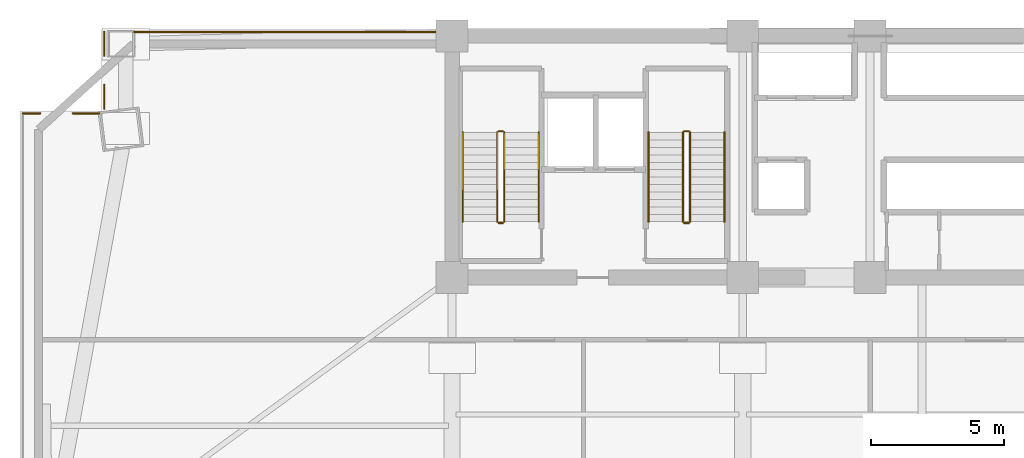
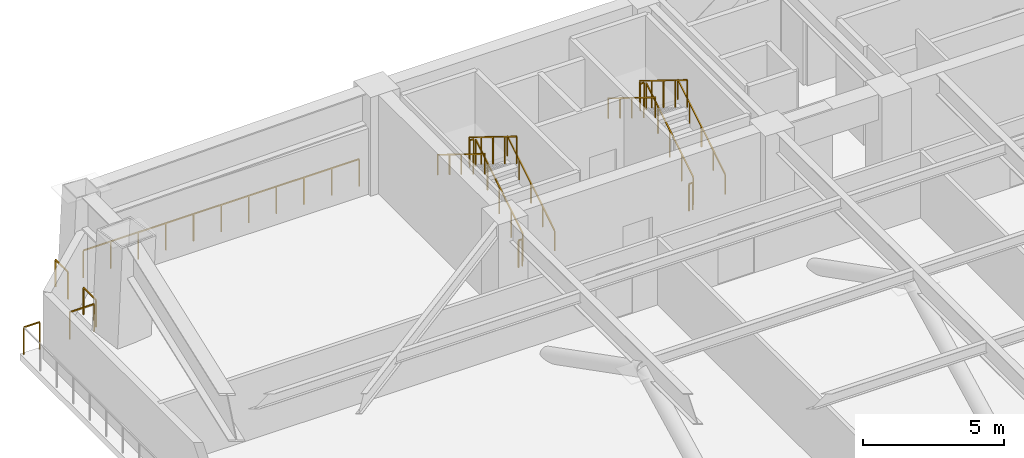
# One storey, part 9 of 10: 17 railings.
"""IFC4 building model written with IfcOpenShell, lengths in metres."""

from ifc_helpers import new_model, si_unit, direction, frame, origin, origin_2d, place, context, subcontext, project, spatial, rectangle, extrude, material, type_object, element, save


model = new_model("IFC4")

# Units and contexts
model_context = context("Model", 3, precision=1e-05, world=origin(), true_north=direction((0.0, 1.0)))
body_context = subcontext(model_context, "Body", "Model", "MODEL_VIEW")
ifc_project = project(units=[si_unit("LENGTHUNIT", "METRE"), si_unit("AREAUNIT", "SQUARE_METRE"), si_unit("VOLUMEUNIT", "CUBIC_METRE"), si_unit("PLANEANGLEUNIT", "RADIAN"), si_unit("MASSUNIT", "GRAM", prefix="KILO")], contexts=[model_context])

# Site, building, storey
site_placement = place(None, origin())
site = spatial("IfcSite", under=ifc_project, at=site_placement, CompositionType="ELEMENT")
building_placement = place(site_placement, origin())
building = spatial("IfcBuilding", under=site, at=building_placement, Name="Giltprow Tower", CompositionType="ELEMENT")
storey_placement = place(building_placement, frame((0.0, 0.0, 95.199951171875)))
storey = spatial("IfcBuildingStorey", under=building, at=storey_placement, Name="L23", CompositionType="ELEMENT", Elevation=95.199951171875)

# Railings
ifc_material = material(Name="Anodized bronze", Category="metal")
railing_type_1 = type_object("IfcRailingType", Name="RAIL-BALC-GUARD-1200", PredefinedType="BALUSTRADE", material=ifc_material)
railing_1_placement = place(storey_placement, frame((3.675048828125, 43.6298828125, 0.0)))
element("IfcRailing", 1, at=railing_1_placement, inside=storey, type_object=railing_type_1, Name="L23 Corner Apron Edge Balustrade 4", PredefinedType="BALUSTRADE", context=body_context, shape_type="SweptSolid", body=[
    extrude(rectangle(XDim=0.048095703125, YDim=0.048095703125, at=origin_2d()), frame((0.0, 0.0, 1.17578125), z_axis=(1.0, 0.0, 0.0), x_axis=(0.0, 1.0, 0.0)), (0.0, 0.0, 1.0), 0.65283203125),
    extrude(rectangle(XDim=0.0419921875, YDim=0.0419921875, at=origin_2d()), origin(), (0.0, 0.0, 1.0), 1.15185546875),
    extrude(rectangle(XDim=0.0419921875, YDim=0.0419921875, at=origin_2d()), frame((0.65283203125, 0.0, 0.0)), (0.0, 0.0, 1.0), 1.15185546875),
])
railing_2_placement = place(storey_placement, frame((5.552001953125, 43.6298828125, 0.0)))
element("IfcRailing", 2, at=railing_2_placement, inside=storey, type_object=railing_type_1, Name="L23 Corner Apron Edge Balustrade 5", PredefinedType="BALUSTRADE", context=body_context, shape_type="SweptSolid", body=[
    extrude(rectangle(XDim=0.048095703125, YDim=0.048095703125, at=origin_2d()), frame((0.0, 0.0, 1.17578125), z_axis=(1.0, 0.0, 0.0), x_axis=(0.0, 1.0, 0.0)), (0.0, 0.0, 1.0), 1.008056640625),
    extrude(rectangle(XDim=0.0419921875, YDim=0.0419921875, at=origin_2d()), origin(), (0.0, 0.0, 1.0), 1.15185546875),
    extrude(rectangle(XDim=0.0419921875, YDim=0.0419921875, at=origin_2d()), frame((1.008056640625, 0.0, 0.0)), (0.0, 0.0, 1.0), 1.15185546875),
])
railing_3_placement = place(storey_placement, frame((6.7451171875, 43.81494140625, 0.0)))
element("IfcRailing", 3, at=railing_3_placement, inside=storey, type_object=railing_type_1, Name="L23 Corner Apron Edge Balustrade 6", PredefinedType="BALUSTRADE", context=body_context, shape_type="SweptSolid", body=[
    extrude(rectangle(XDim=0.048095703125, YDim=0.048095703125, at=origin_2d()), frame((0.0, 0.0, 1.17578125), z_axis=(0.0, 1.0, 0.0), x_axis=(-1.0, 0.0, 0.0)), (0.0, 0.0, 1.0), 0.89111328125),
    extrude(rectangle(XDim=0.0419921875, YDim=0.0419921875, at=origin_2d()), origin(), (0.0, 0.0, 1.0), 1.15185546875),
    extrude(rectangle(XDim=0.0419921875, YDim=0.0419921875, at=origin_2d()), frame((0.0, 0.89111328125, 0.0)), (0.0, 0.0, 1.0), 1.15185546875),
])
railing_4_placement = place(storey_placement, frame((6.7451171875, 45.81005859375, 0.0)))
element("IfcRailing", 4, at=railing_4_placement, inside=storey, type_object=railing_type_1, Name="L23 Corner Apron Edge Balustrade 7", PredefinedType="BALUSTRADE", context=body_context, shape_type="SweptSolid", body=[
    extrude(rectangle(XDim=0.048095703125, YDim=0.048095703125, at=origin_2d()), frame((0.0, 0.0, 1.17578125), z_axis=(0.0, 1.0, 0.0), x_axis=(-1.0, 0.0, 0.0)), (0.0, 0.0, 1.0), 0.889892578125),
    extrude(rectangle(XDim=0.0419921875, YDim=0.0419921875, at=origin_2d()), origin(), (0.0, 0.0, 1.0), 1.15185546875),
    extrude(rectangle(XDim=0.0419921875, YDim=0.0419921875, at=origin_2d()), frame((0.0, 0.889892578125, 0.0)), (0.0, 0.0, 1.0), 1.15185546875),
])
railing_5_placement = place(storey_placement, frame((7.8798828125, 46.699951171875, 0.0)))
element("IfcRailing", 5, at=railing_5_placement, inside=storey, type_object=railing_type_1, Name="L23 Corner Apron Edge Balustrade 8", PredefinedType="BALUSTRADE", context=body_context, shape_type="SweptSolid", body=[
    extrude(rectangle(XDim=0.048095703125, YDim=0.048095703125, at=origin_2d()), frame((0.0, 0.0, 1.17578125), z_axis=(1.0, 0.0, 0.0), x_axis=(0.0, 1.0, 0.0)), (0.0, 0.0, 1.0), 11.335205078125),
    extrude(rectangle(XDim=0.0419921875, YDim=0.0419921875, at=origin_2d()), origin(), (0.0, 0.0, 1.0), 1.15185546875),
    extrude(rectangle(XDim=0.0419921875, YDim=0.0419921875, at=origin_2d()), frame((1.133544921875, 0.0, 0.0)), (0.0, 0.0, 1.0), 1.15185546875),
    extrude(rectangle(XDim=0.0419921875, YDim=0.0419921875, at=origin_2d()), frame((2.26708984375, 0.0, 0.0)), (0.0, 0.0, 1.0), 1.15185546875),
    extrude(rectangle(XDim=0.0419921875, YDim=0.0419921875, at=origin_2d()), frame((3.400634765625, 0.0, 0.0)), (0.0, 0.0, 1.0), 1.15185546875),
    extrude(rectangle(XDim=0.0419921875, YDim=0.0419921875, at=origin_2d()), frame((4.5341796875, 0.0, 0.0)), (0.0, 0.0, 1.0), 1.15185546875),
    extrude(rectangle(XDim=0.0419921875, YDim=0.0419921875, at=origin_2d()), frame((5.66748046875, 0.0, 0.0)), (0.0, 0.0, 1.0), 1.15185546875),
    extrude(rectangle(XDim=0.0419921875, YDim=0.0419921875, at=origin_2d()), frame((6.801025390625, 0.0, 0.0)), (0.0, 0.0, 1.0), 1.15185546875),
    extrude(rectangle(XDim=0.0419921875, YDim=0.0419921875, at=origin_2d()), frame((7.9345703125, 0.0, 0.0)), (0.0, 0.0, 1.0), 1.15185546875),
    extrude(rectangle(XDim=0.0419921875, YDim=0.0419921875, at=origin_2d()), frame((9.068115234375, 0.0, 0.0)), (0.0, 0.0, 1.0), 1.15185546875),
    extrude(rectangle(XDim=0.0419921875, YDim=0.0419921875, at=origin_2d()), frame((10.20166015625, 0.0, 0.0)), (0.0, 0.0, 1.0), 1.15185546875),
    extrude(rectangle(XDim=0.0419921875, YDim=0.0419921875, at=origin_2d()), frame((11.335205078125, 0.0, 0.0)), (0.0, 0.0, 1.0), 1.15185546875),
])
railing_type_2 = type_object("IfcRailingType", Name="RAIL-STAIR-GUARD-1200", PredefinedType="GUARDRAIL", material=ifc_material)
railing_6_placement = place(storey_placement, frame((21.81005859375, 39.550048828125, 0.173095703125)))
element("IfcRailing", 6, at=railing_6_placement, inside=storey, type_object=railing_type_2, Name="L23 ST-1 stair guard 1", PredefinedType="GUARDRAIL", context=body_context, shape_type="SweptSolid", body=[
    extrude(rectangle(XDim=0.048095703125, YDim=0.048095703125, at=origin_2d()), frame((0.0, 0.0, 1.17578125), z_axis=(0.0, 0.850606129759, 0.525803396734), x_axis=(-1.0, 0.0, 0.0)), (0.0, 0.0, 1.0), 3.949951171875),
    extrude(rectangle(XDim=0.0419921875, YDim=0.0419921875, at=origin_2d()), origin(), (0.0, 0.0, 1.0), 1.15185546875),
    extrude(rectangle(XDim=0.0419921875, YDim=0.0419921875, at=origin_2d()), frame((0.0, 0.83984375, 0.519287109375)), (0.0, 0.0, 1.0), 1.15185546875),
    extrude(rectangle(XDim=0.0419921875, YDim=0.0419921875, at=origin_2d()), frame((0.0, 1.679931640625, 1.03857421875)), (0.0, 0.0, 1.0), 1.15185546875),
    extrude(rectangle(XDim=0.0419921875, YDim=0.0419921875, at=origin_2d()), frame((0.0, 2.52001953125, 1.5576171875)), (0.0, 0.0, 1.0), 1.15185546875),
    extrude(rectangle(XDim=0.0419921875, YDim=0.0419921875, at=origin_2d()), frame((0.0, 3.35986328125, 2.076904296875)), (0.0, 0.0, 1.0), 1.15185546875),
])
railing_7_placement = place(storey_placement, frame((21.760009765625, 42.9599609375, 2.25)))
element("IfcRailing", 7, at=railing_7_placement, inside=storey, type_object=railing_type_2, Name="L23 ST-1 stair guard 2", PredefinedType="GUARDRAIL", context=body_context, shape_type="SweptSolid", body=[
    extrude(rectangle(XDim=0.048095703125, YDim=0.048095703125, at=origin_2d()), frame((0.0, 0.0, 1.17578125), z_axis=(-1.0, 0.0, 0.0), x_axis=(0.0, -1.0, 0.0)), (0.0, 0.0, 1.0), 0.159912109375),
    extrude(rectangle(XDim=0.0419921875, YDim=0.0419921875, at=origin_2d()), origin(), (0.0, 0.0, 1.0), 1.15185546875),
    extrude(rectangle(XDim=0.0419921875, YDim=0.0419921875, at=origin_2d()), frame((-0.159912109375, 0.0, 0.0)), (0.0, 0.0, 1.0), 1.15185546875),
])
railing_8_placement = place(storey_placement, frame((21.550048828125, 42.909912109375, 2.423095703125)))
element("IfcRailing", 8, at=railing_8_placement, inside=storey, type_object=railing_type_2, Name="L23 ST-1 stair guard 3", PredefinedType="GUARDRAIL", context=body_context, shape_type="SweptSolid", body=[
    extrude(rectangle(XDim=0.048095703125, YDim=0.048095703125, at=origin_2d()), frame((0.0, 0.0, 1.17578125), z_axis=(0.0, -0.850606129759, 0.525803396734), x_axis=(1.0, 0.0, 0.0)), (0.0, 0.0, 1.0), 3.949951171875),
    extrude(rectangle(XDim=0.0419921875, YDim=0.0419921875, at=origin_2d()), origin(), (0.0, 0.0, 1.0), 1.15185546875),
    extrude(rectangle(XDim=0.0419921875, YDim=0.0419921875, at=origin_2d()), frame((0.0, -0.83984375, 0.519287109375)), (0.0, 0.0, 1.0), 1.15185546875),
    extrude(rectangle(XDim=0.0419921875, YDim=0.0419921875, at=origin_2d()), frame((0.0, -1.679931640625, 1.03857421875)), (0.0, 0.0, 1.0), 1.15185546875),
    extrude(rectangle(XDim=0.0419921875, YDim=0.0419921875, at=origin_2d()), frame((0.0, -2.52001953125, 1.5576171875)), (0.0, 0.0, 1.0), 1.15185546875),
    extrude(rectangle(XDim=0.0419921875, YDim=0.0419921875, at=origin_2d()), frame((0.0, -3.35986328125, 2.076904296875)), (0.0, 0.0, 1.0), 1.15185546875),
])
railing_9_placement = place(storey_placement, frame((21.760009765625, 39.5, 0.0)))
element("IfcRailing", 9, at=railing_9_placement, inside=storey, type_object=railing_type_2, Name="L23 ST-1 stair guard 4", PredefinedType="GUARDRAIL", context=body_context, shape_type="SweptSolid", body=[
    extrude(rectangle(XDim=0.048095703125, YDim=0.048095703125, at=origin_2d()), frame((0.0, 0.0, 1.17578125), z_axis=(-1.0, 0.0, 0.0), x_axis=(0.0, -1.0, 0.0)), (0.0, 0.0, 1.0), 0.159912109375),
    extrude(rectangle(XDim=0.0419921875, YDim=0.0419921875, at=origin_2d()), origin(), (0.0, 0.0, 1.0), 1.15185546875),
    extrude(rectangle(XDim=0.0419921875, YDim=0.0419921875, at=origin_2d()), frame((-0.159912109375, 0.0, 0.0)), (0.0, 0.0, 1.0), 1.15185546875),
])
railing_10_placement = place(storey_placement, frame((28.81005859375, 39.550048828125, 0.173095703125)))
element("IfcRailing", 10, at=railing_10_placement, inside=storey, type_object=railing_type_2, Name="L23 ST-2 stair guard 1", PredefinedType="GUARDRAIL", context=body_context, shape_type="SweptSolid", body=[
    extrude(rectangle(XDim=0.048095703125, YDim=0.048095703125, at=origin_2d()), frame((0.0, 0.0, 1.17578125), z_axis=(0.0, 0.850606129759, 0.525803396734), x_axis=(-1.0, 0.0, 0.0)), (0.0, 0.0, 1.0), 3.949951171875),
    extrude(rectangle(XDim=0.0419921875, YDim=0.0419921875, at=origin_2d()), origin(), (0.0, 0.0, 1.0), 1.15185546875),
    extrude(rectangle(XDim=0.0419921875, YDim=0.0419921875, at=origin_2d()), frame((0.0, 0.83984375, 0.519287109375)), (0.0, 0.0, 1.0), 1.15185546875),
    extrude(rectangle(XDim=0.0419921875, YDim=0.0419921875, at=origin_2d()), frame((0.0, 1.679931640625, 1.03857421875)), (0.0, 0.0, 1.0), 1.15185546875),
    extrude(rectangle(XDim=0.0419921875, YDim=0.0419921875, at=origin_2d()), frame((0.0, 2.52001953125, 1.5576171875)), (0.0, 0.0, 1.0), 1.15185546875),
    extrude(rectangle(XDim=0.0419921875, YDim=0.0419921875, at=origin_2d()), frame((0.0, 3.35986328125, 2.076904296875)), (0.0, 0.0, 1.0), 1.15185546875),
])
railing_11_placement = place(storey_placement, frame((28.760009765625, 42.9599609375, 2.25)))
element("IfcRailing", 11, at=railing_11_placement, inside=storey, type_object=railing_type_2, Name="L23 ST-2 stair guard 2", PredefinedType="GUARDRAIL", context=body_context, shape_type="SweptSolid", body=[
    extrude(rectangle(XDim=0.048095703125, YDim=0.048095703125, at=origin_2d()), frame((0.0, 0.0, 1.17578125), z_axis=(-1.0, 0.0, 0.0), x_axis=(0.0, -1.0, 0.0)), (0.0, 0.0, 1.0), 0.159912109375),
    extrude(rectangle(XDim=0.0419921875, YDim=0.0419921875, at=origin_2d()), origin(), (0.0, 0.0, 1.0), 1.15185546875),
    extrude(rectangle(XDim=0.0419921875, YDim=0.0419921875, at=origin_2d()), frame((-0.159912109375, 0.0, 0.0)), (0.0, 0.0, 1.0), 1.15185546875),
])
railing_12_placement = place(storey_placement, frame((28.550048828125, 42.909912109375, 2.423095703125)))
element("IfcRailing", 12, at=railing_12_placement, inside=storey, type_object=railing_type_2, Name="L23 ST-2 stair guard 3", PredefinedType="GUARDRAIL", context=body_context, shape_type="SweptSolid", body=[
    extrude(rectangle(XDim=0.048095703125, YDim=0.048095703125, at=origin_2d()), frame((0.0, 0.0, 1.17578125), z_axis=(0.0, -0.850606129759, 0.525803396734), x_axis=(1.0, 0.0, 0.0)), (0.0, 0.0, 1.0), 3.949951171875),
    extrude(rectangle(XDim=0.0419921875, YDim=0.0419921875, at=origin_2d()), origin(), (0.0, 0.0, 1.0), 1.15185546875),
    extrude(rectangle(XDim=0.0419921875, YDim=0.0419921875, at=origin_2d()), frame((0.0, -0.83984375, 0.519287109375)), (0.0, 0.0, 1.0), 1.15185546875),
    extrude(rectangle(XDim=0.0419921875, YDim=0.0419921875, at=origin_2d()), frame((0.0, -1.679931640625, 1.03857421875)), (0.0, 0.0, 1.0), 1.15185546875),
    extrude(rectangle(XDim=0.0419921875, YDim=0.0419921875, at=origin_2d()), frame((0.0, -2.52001953125, 1.5576171875)), (0.0, 0.0, 1.0), 1.15185546875),
    extrude(rectangle(XDim=0.0419921875, YDim=0.0419921875, at=origin_2d()), frame((0.0, -3.35986328125, 2.076904296875)), (0.0, 0.0, 1.0), 1.15185546875),
])
railing_13_placement = place(storey_placement, frame((28.760009765625, 39.5, 0.0)))
element("IfcRailing", 13, at=railing_13_placement, inside=storey, type_object=railing_type_2, Name="L23 ST-2 stair guard 4", PredefinedType="GUARDRAIL", context=body_context, shape_type="SweptSolid", body=[
    extrude(rectangle(XDim=0.048095703125, YDim=0.048095703125, at=origin_2d()), frame((0.0, 0.0, 1.17578125), z_axis=(-1.0, 0.0, 0.0), x_axis=(0.0, -1.0, 0.0)), (0.0, 0.0, 1.0), 0.159912109375),
    extrude(rectangle(XDim=0.0419921875, YDim=0.0419921875, at=origin_2d()), origin(), (0.0, 0.0, 1.0), 1.15185546875),
    extrude(rectangle(XDim=0.0419921875, YDim=0.0419921875, at=origin_2d()), frame((-0.159912109375, 0.0, 0.0)), (0.0, 0.0, 1.0), 1.15185546875),
])
railing_type_3 = type_object("IfcRailingType", Name="RAIL-STAIR-HAND-900", PredefinedType="HANDRAIL", material=ifc_material)
railing_14_placement = place(storey_placement, frame((23.110107421875, 39.550048828125, 0.173095703125)))
element("IfcRailing", 14, at=railing_14_placement, inside=storey, type_object=railing_type_3, Name="L23 ST-1 stair handrail 1", PredefinedType="HANDRAIL", context=body_context, shape_type="SweptSolid", body=[
    extrude(rectangle(XDim=0.048095703125, YDim=0.048095703125, at=origin_2d()), frame((0.0, 0.0, 0.8759765625), z_axis=(0.0, 0.850606129759, 0.525803396734), x_axis=(-1.0, 0.0, 0.0)), (0.0, 0.0, 1.0), 3.949951171875),
    extrude(rectangle(XDim=0.0419921875, YDim=0.0419921875, at=origin_2d()), origin(), (0.0, 0.0, 1.0), 0.851806640625),
    extrude(rectangle(XDim=0.0419921875, YDim=0.0419921875, at=origin_2d()), frame((0.0, 0.83984375, 0.519287109375)), (0.0, 0.0, 1.0), 0.851806640625),
    extrude(rectangle(XDim=0.0419921875, YDim=0.0419921875, at=origin_2d()), frame((0.0, 1.679931640625, 1.03857421875)), (0.0, 0.0, 1.0), 0.851806640625),
    extrude(rectangle(XDim=0.0419921875, YDim=0.0419921875, at=origin_2d()), frame((0.0, 2.52001953125, 1.5576171875)), (0.0, 0.0, 1.0), 0.851806640625),
    extrude(rectangle(XDim=0.0419921875, YDim=0.0419921875, at=origin_2d()), frame((0.0, 3.35986328125, 2.076904296875)), (0.0, 0.0, 1.0), 0.851806640625),
])
railing_15_placement = place(storey_placement, frame((20.25, 42.909912109375, 2.423095703125)))
element("IfcRailing", 15, at=railing_15_placement, inside=storey, type_object=railing_type_3, Name="L23 ST-1 stair handrail 2", PredefinedType="HANDRAIL", context=body_context, shape_type="SweptSolid", body=[
    extrude(rectangle(XDim=0.048095703125, YDim=0.048095703125, at=origin_2d()), frame((0.0, 0.0, 0.8759765625), z_axis=(0.0, -0.850606129759, 0.525803396734), x_axis=(1.0, 0.0, 0.0)), (0.0, 0.0, 1.0), 3.949951171875),
    extrude(rectangle(XDim=0.0419921875, YDim=0.0419921875, at=origin_2d()), origin(), (0.0, 0.0, 1.0), 0.851806640625),
    extrude(rectangle(XDim=0.0419921875, YDim=0.0419921875, at=origin_2d()), frame((0.0, -0.83984375, 0.519287109375)), (0.0, 0.0, 1.0), 0.851806640625),
    extrude(rectangle(XDim=0.0419921875, YDim=0.0419921875, at=origin_2d()), frame((0.0, -1.679931640625, 1.03857421875)), (0.0, 0.0, 1.0), 0.851806640625),
    extrude(rectangle(XDim=0.0419921875, YDim=0.0419921875, at=origin_2d()), frame((0.0, -2.52001953125, 1.5576171875)), (0.0, 0.0, 1.0), 0.851806640625),
    extrude(rectangle(XDim=0.0419921875, YDim=0.0419921875, at=origin_2d()), frame((0.0, -3.35986328125, 2.076904296875)), (0.0, 0.0, 1.0), 0.851806640625),
])
railing_16_placement = place(storey_placement, frame((30.110107421875, 39.550048828125, 0.173095703125)))
element("IfcRailing", 16, at=railing_16_placement, inside=storey, type_object=railing_type_3, Name="L23 ST-2 stair handrail 1", PredefinedType="HANDRAIL", context=body_context, shape_type="SweptSolid", body=[
    extrude(rectangle(XDim=0.048095703125, YDim=0.048095703125, at=origin_2d()), frame((0.0, 0.0, 0.8759765625), z_axis=(0.0, 0.850606129759, 0.525803396734), x_axis=(-1.0, 0.0, 0.0)), (0.0, 0.0, 1.0), 3.949951171875),
    extrude(rectangle(XDim=0.0419921875, YDim=0.0419921875, at=origin_2d()), origin(), (0.0, 0.0, 1.0), 0.851806640625),
    extrude(rectangle(XDim=0.0419921875, YDim=0.0419921875, at=origin_2d()), frame((0.0, 0.83984375, 0.519287109375)), (0.0, 0.0, 1.0), 0.851806640625),
    extrude(rectangle(XDim=0.0419921875, YDim=0.0419921875, at=origin_2d()), frame((0.0, 1.679931640625, 1.03857421875)), (0.0, 0.0, 1.0), 0.851806640625),
    extrude(rectangle(XDim=0.0419921875, YDim=0.0419921875, at=origin_2d()), frame((0.0, 2.52001953125, 1.5576171875)), (0.0, 0.0, 1.0), 0.851806640625),
    extrude(rectangle(XDim=0.0419921875, YDim=0.0419921875, at=origin_2d()), frame((0.0, 3.35986328125, 2.076904296875)), (0.0, 0.0, 1.0), 0.851806640625),
])
railing_17_placement = place(storey_placement, frame((27.25, 42.909912109375, 2.423095703125)))
element("IfcRailing", 17, at=railing_17_placement, inside=storey, type_object=railing_type_3, Name="L23 ST-2 stair handrail 2", PredefinedType="HANDRAIL", context=body_context, shape_type="SweptSolid", body=[
    extrude(rectangle(XDim=0.048095703125, YDim=0.048095703125, at=origin_2d()), frame((0.0, 0.0, 0.8759765625), z_axis=(0.0, -0.850606129759, 0.525803396734), x_axis=(1.0, 0.0, 0.0)), (0.0, 0.0, 1.0), 3.949951171875),
    extrude(rectangle(XDim=0.0419921875, YDim=0.0419921875, at=origin_2d()), origin(), (0.0, 0.0, 1.0), 0.851806640625),
    extrude(rectangle(XDim=0.0419921875, YDim=0.0419921875, at=origin_2d()), frame((0.0, -0.83984375, 0.519287109375)), (0.0, 0.0, 1.0), 0.851806640625),
    extrude(rectangle(XDim=0.0419921875, YDim=0.0419921875, at=origin_2d()), frame((0.0, -1.679931640625, 1.03857421875)), (0.0, 0.0, 1.0), 0.851806640625),
    extrude(rectangle(XDim=0.0419921875, YDim=0.0419921875, at=origin_2d()), frame((0.0, -2.52001953125, 1.5576171875)), (0.0, 0.0, 1.0), 0.851806640625),
    extrude(rectangle(XDim=0.0419921875, YDim=0.0419921875, at=origin_2d()), frame((0.0, -3.35986328125, 2.076904296875)), (0.0, 0.0, 1.0), 0.851806640625),
])

save(model, "model.ifc")
